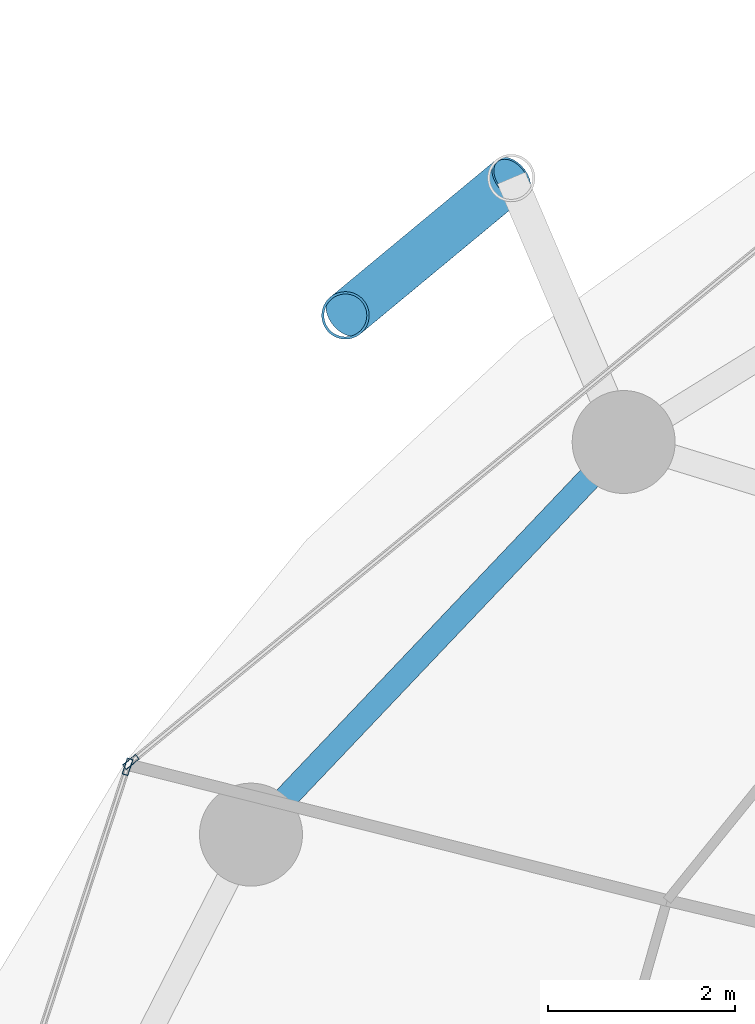
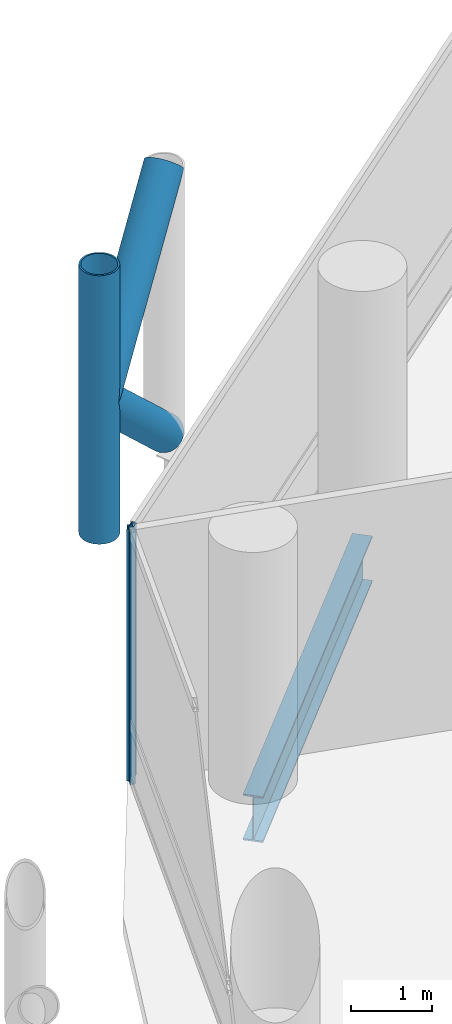
# One storey, part 13 of 24: 5 members, 1 beam, 2 elements without a shape of their own.
"""IFC4 building model written with IfcOpenShell, lengths in metres."""

from ifc_helpers import new_model, si_unit, direction, frame, origin, origin_2d, place, context, subcontext, project, spatial, hollow_rectangle, hollow_circle, i_section, extrude, material, layer, layer_set, material_profile, profile_set, type_object, element, aggregate, save


model = new_model("IFC4")

# Units and contexts
model_context = context("Model", 3, precision=1e-05, world=origin(), true_north=direction((0.0, 1.0)))
body_context = subcontext(model_context, "Body", "Model", "MODEL_VIEW")
ifc_project = project(units=[si_unit("LENGTHUNIT", "METRE"), si_unit("AREAUNIT", "SQUARE_METRE"), si_unit("VOLUMEUNIT", "CUBIC_METRE"), si_unit("PLANEANGLEUNIT", "RADIAN"), si_unit("MASSUNIT", "GRAM", prefix="KILO")], contexts=[model_context])

# Site, building, storey
site_placement = place(None, origin())
site = spatial("IfcSite", under=ifc_project, at=site_placement, CompositionType="ELEMENT")
building_placement = place(site_placement, origin())
building = spatial("IfcBuilding", under=site, at=building_placement, Name="Nuhasar Tower", CompositionType="ELEMENT")
storey_placement = place(building_placement, frame((0.0, 0.0, 89.85009765625)))
storey = spatial("IfcBuildingStorey", under=building, at=storey_placement, Name="L21", CompositionType="ELEMENT", Elevation=89.85009765625)

# Beam
ifc_material_1 = material(Name="Steel S355", Category="steel")
ifc_material_profile_1 = material_profile(ifc_material_1, i_section(OverallWidth=0.256103515625, OverallDepth=0.693115234375, WebThickness=0.014404296875, FlangeThickness=0.023681640625, at=origin_2d()), Name="W27X114")
ifc_profile_set_1 = profile_set([ifc_material_profile_1], Name="Steel S355")
beam_type = type_object("IfcBeamType", Name="BM-RING-W27X114", PredefinedType="SPANDREL", material=ifc_profile_set_1)
beam_placement = place(storey_placement, frame((21.287109375, 41.118896484375, -0.59716796875), z_axis=(-0.688480893507, -0.725254478976, 0.0), x_axis=(0.725254478976, -0.688480893507, 0.0)))
element("IfcBeam", 1, at=beam_placement, inside=storey, type_object=beam_type, Name="L21 Perimeter Ring Spandrel 10", PredefinedType="SPANDREL", context=body_context, shape_type="SweptSolid", body=[
    extrude(i_section(OverallWidth=0.256103515625, OverallDepth=0.693115234375, WebThickness=0.014404296875, FlangeThickness=0.023681640625, at=origin_2d()), origin(), (0.0, 0.0, 1.0), 5.782470703125),
])

# Curtain wall, member
ifc_material_2 = material(Name="Aluminium 6063-T6", Category="aluminium")
ifc_layer = layer(ifc_material_2, 0.199951171875)
ifc_layer_set = layer_set([ifc_layer], Name="Aluminium 6063-T6")
curtain_wall_type = type_object("IfcCurtainWallType", Name="CW-Z1-OFF", PredefinedType="NOTDEFINED", material=ifc_layer_set)
curtain_wall_1_placement = place(storey_placement, origin())
curtain_wall_1 = element("IfcCurtainWall", 2, at=curtain_wall_1_placement, inside=storey, type_object=curtain_wall_type, Name="L21 Unitised Curtain Wall 05", PredefinedType="NOTDEFINED")
ifc_material_profile_2 = material_profile(ifc_material_2, hollow_rectangle(XDim=0.06494140625, YDim=0.179931640625, WallThickness=0.0048828125, at=origin_2d()), Name="CWM-2")
ifc_profile_set_2 = profile_set([ifc_material_profile_2], Name="Aluminium 6063-T6")
member_type_1 = type_object("IfcMemberType", Name="CW-MUL-S2", PredefinedType="MULLION", material=ifc_profile_set_2)
member_1_placement = place(storey_placement, frame((16.023193359375, 37.70068359375, 0.0), z_axis=(0.0, 0.0, 1.0), x_axis=(0.633744593376, -0.773542364946, 0.0)))
member_1 = element("IfcMember", 3, at=member_1_placement, type_object=member_type_1, Name="CW-Z1 mullion 2", PredefinedType="MULLION", context=body_context, shape_type="SweptSolid", body=[
    extrude(hollow_rectangle(XDim=0.06494140625, YDim=0.179931640625, WallThickness=0.0048828125, at=origin_2d()), origin(), (0.0, 0.0, 1.0), 3.7998046875),
])
aggregate(curtain_wall_1, [member_1])

curtain_wall_2_placement = place(storey_placement, origin())
curtain_wall_2 = element("IfcCurtainWall", 4, at=curtain_wall_2_placement, inside=storey, type_object=curtain_wall_type, Name="L21 Unitised Curtain Wall 06", PredefinedType="NOTDEFINED")
member_2_placement = place(storey_placement, frame((15.98779296875, 37.649169921875, 0.0), z_axis=(0.0, 0.0, 1.0), x_axis=(0.950467534571, -0.310823849997, 0.0)))
member_2 = element("IfcMember", 5, at=member_2_placement, type_object=member_type_1, Name="CW-Z1 mullion 1", PredefinedType="MULLION", context=body_context, shape_type="SweptSolid", body=[
    extrude(hollow_rectangle(XDim=0.06494140625, YDim=0.179931640625, WallThickness=0.0048828125, at=origin_2d()), origin(), (0.0, 0.0, 1.0), 3.7998046875),
])
aggregate(curtain_wall_2, [member_2])

# Members
ifc_material_3 = material(Name="Steel S460", Category="steel")
ifc_material_profile_3 = material_profile(ifc_material_3, hollow_circle(Radius=0.25390625, WallThickness=0.025390625, at=origin_2d()), Name="HSS508X25.4")
ifc_profile_set_3 = profile_set([ifc_material_profile_3], Name="Steel S460")
member_type_2 = type_object("IfcMemberType", Name="EXO-BRONZE-508", PredefinedType="BRACE", material=ifc_profile_set_3)
member_3_placement = place(storey_placement, frame((18.31494140625, 42.470947265625, 0.0), z_axis=(0.0, 0.0, 1.0), x_axis=(1.0, 0.0, 0.0)))
element("IfcMember", 6, at=member_3_placement, inside=storey, type_object=member_type_2, Name="L21 Exoskeleton Chord Column EC-05B", PredefinedType="BRACE", context=body_context, shape_type="SweptSolid", body=[
    extrude(hollow_circle(Radius=0.25390625, WallThickness=0.025390625, at=origin_2d()), origin(), (0.0, 0.0, 1.0), 4.0498046875),
])
for number, where, z_axis, x_axis, name in (
    (7, (20.0869140625, 43.93896484375, 0.0), (-0.578101613167, -0.478937034992, 0.660619286251), (0.637969333506, -0.770061769929, 0.0), "L21 Bronze Diagrid Brace W1-05"),
    (8, (18.31494140625, 42.470947265625, 2.02490234375), (0.578101613167, 0.478937034992, 0.660619286251), (-0.637969333506, 0.770061769929, 0.0), "L21 Bronze Diagrid Brace W2-05"),
):
    element("IfcMember", number, at=place(storey_placement, frame(where, z_axis=z_axis, x_axis=x_axis)), inside=storey, type_object=member_type_2, Name=name, PredefinedType="BRACE", context=body_context, shape_type="SweptSolid", body=[
        extrude(hollow_circle(Radius=0.25390625, WallThickness=0.025390625, at=origin_2d()), origin(), (0.0, 0.0, 1.0), 3.065185546875),
    ])

save(model, "model.ifc")
